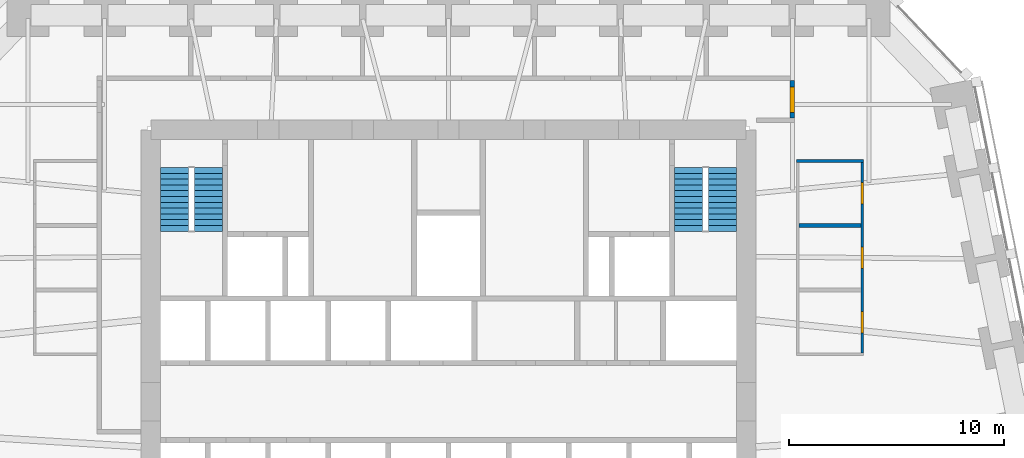
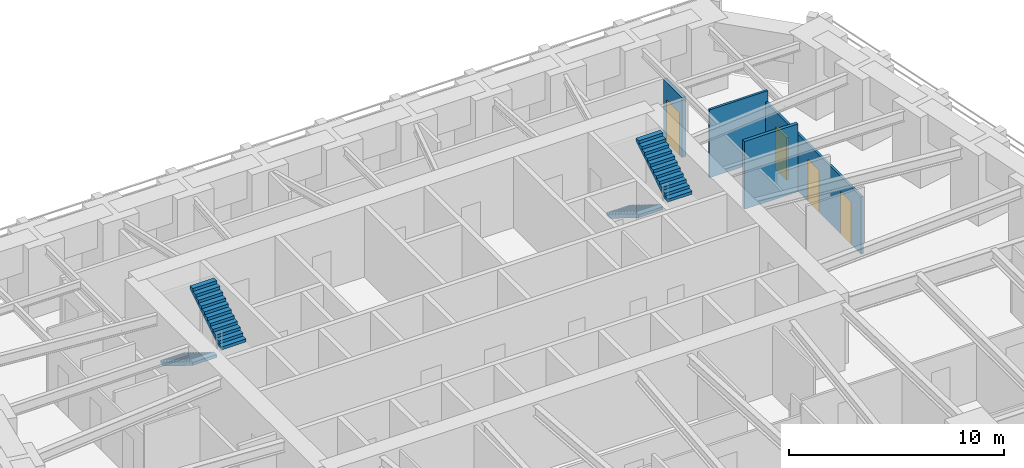
# One storey, part 8 of 10: 4 doors, 4 stair flights, 4 walls, 4 openings, 2 elements without a shape of their own.
"""IFC4 building model written with IfcOpenShell, lengths in metres."""

from ifc_helpers import new_model, si_unit, direction, frame, frame_2d, origin, place, context, subcontext, project, spatial, polyline, rectangle, outline, extrude, material, layer, layer_set, type_object, element, fill, aggregate, save


model = new_model("IFC4")

# Units and contexts
model_context = context("Model", 3, precision=1e-05, world=origin(), true_north=direction((0.0, 1.0)))
body_context = subcontext(model_context, "Body", "Model", "MODEL_VIEW")
ifc_project = project(units=[si_unit("LENGTHUNIT", "METRE"), si_unit("AREAUNIT", "SQUARE_METRE"), si_unit("VOLUMEUNIT", "CUBIC_METRE"), si_unit("PLANEANGLEUNIT", "RADIAN"), si_unit("MASSUNIT", "GRAM", prefix="KILO")], contexts=[model_context])

# Site, building, storey
site_placement = place(None, origin())
site = spatial("IfcSite", under=ifc_project, at=site_placement, CompositionType="ELEMENT")
building_placement = place(site_placement, origin())
building = spatial("IfcBuilding", under=site, at=building_placement, Name="Isbrekke Arena Tower", CompositionType="ELEMENT")
storey_placement = place(building_placement, frame((0.0, 0.0, 80.0)))
storey = spatial("IfcBuildingStorey", under=building, at=storey_placement, Name="L17", CompositionType="ELEMENT", Elevation=80.0)

# Wall
ifc_material_1 = material(Name="Frameless glazed partition, laminated acoustic glass", Category="glass")
ifc_layer_1 = layer(ifc_material_1, 0.1201171875)
ifc_layer_set_1 = layer_set([ifc_layer_1], Name="IW2 GLAZED PARTITION 120")
wall_type_1 = type_object("IfcWallType", Name="IW2 GLAZED PARTITION 120", PredefinedType="PARTITIONING", material=ifc_layer_set_1)
wall_1_placement = place(storey_placement, frame((16.18994140625, 22.39990234375, 0.0), z_axis=(0.0, 0.0, 1.0), x_axis=(1.0, 0.0, 0.0)))
element("IfcWall", 1, at=wall_1_placement, inside=storey, type_object=wall_type_1, Name="IW2 glazed partition 120 L17", PredefinedType="PARTITIONING", context=body_context, shape_type="SweptSolid", body=[
    extrude(rectangle(XDim=3.1201171875, YDim=0.1201171875, at=frame_2d((1.56005859375, 0.0))), origin(), (0.0, 0.0, 1.0), 3.85009765625),
])

# Wall, openings, doors
wall_2_placement = place(storey_placement, frame((19.25, 13.4599609375, 0.0), z_axis=(0.0, 0.0, 1.0), x_axis=(0.0, 1.0, 0.0)))
wall_2 = element("IfcWall", 2, at=wall_2_placement, inside=storey, type_object=wall_type_1, Name="IW2 glazed partition 120 L17", PredefinedType="PARTITIONING", context=body_context, shape_type="SweptSolid", body=[
    extrude(rectangle(XDim=8.880126953125, YDim=0.1201171875, at=frame_2d((4.43994140625, 0.0))), origin(), (0.0, 0.0, 1.0), 3.25),
])
opening_1_placement = place(wall_2_placement, frame((0.93994140625, 0.0, 0.0)))
opening_1 = element("IfcOpeningElement", 3, at=opening_1_placement, cuts=wall_2, Name="Opening D11", PredefinedType="OPENING", context=body_context, shape_type="SweptSolid", body=[
    extrude(rectangle(XDim=1.0, YDim=2.39990234375, at=frame_2d((0.5, 1.199951171875))), frame((0.0, 0.074951171875, 0.0), z_axis=(0.0, -1.0, 0.0), x_axis=(1.0, 0.0, 0.0)), (0.0, 0.0, 1.0), 0.14990234375),
])
opening_2_placement = place(wall_2_placement, frame((3.93994140625, 0.0, 0.0)))
opening_2 = element("IfcOpeningElement", 4, at=opening_2_placement, cuts=wall_2, Name="Opening D11", PredefinedType="OPENING", context=body_context, shape_type="SweptSolid", body=[
    extrude(rectangle(XDim=1.0, YDim=2.39990234375, at=frame_2d((0.5, 1.199951171875))), frame((0.0, 0.074951171875, 0.0), z_axis=(0.0, -1.0, 0.0), x_axis=(1.0, 0.0, 0.0)), (0.0, 0.0, 1.0), 0.14990234375),
])
opening_3_placement = place(wall_2_placement, frame((6.93994140625, 0.0, 0.0)))
opening_3 = element("IfcOpeningElement", 5, at=opening_3_placement, cuts=wall_2, Name="Opening D11", PredefinedType="OPENING", context=body_context, shape_type="SweptSolid", body=[
    extrude(rectangle(XDim=1.0, YDim=2.39990234375, at=frame_2d((0.5, 1.199951171875))), frame((0.0, 0.074951171875, 0.0), z_axis=(0.0, -1.0, 0.0), x_axis=(1.0, 0.0, 0.0)), (0.0, 0.0, 1.0), 0.14990234375),
])
ifc_material_2 = material(Name="Frameless glazed door", Category="glass")
door_type_1 = type_object("IfcDoorType", Name="D11 GLAZED MEETING ROOM DOOR 1000 x 2400", OperationType="SINGLE_SWING_RIGHT", PredefinedType="DOOR", material=ifc_material_2)
door_1_placement = place(opening_1_placement, origin())
door_1 = element("IfcDoor", 6, at=door_1_placement, inside=storey, type_object=door_type_1, Name="D11 quiet room door L17", OperationType="SINGLE_SWING_RIGHT", OverallHeight=2.39990234375, OverallWidth=1.0, PredefinedType="DOOR", context=body_context, shape_type="SweptSolid", body=[
    extrude(rectangle(XDim=1.0, YDim=2.39990234375, at=frame_2d((0.5, 1.199951171875))), frame((0.0, 0.059814453125, 0.0), z_axis=(0.0, -1.0, 0.0), x_axis=(1.0, 0.0, 0.0)), (0.0, 0.0, 1.0), 0.11962890625),
])
fill(opening_1, door_1)
door_2_placement = place(opening_2_placement, origin())
door_2 = element("IfcDoor", 7, at=door_2_placement, inside=storey, type_object=door_type_1, Name="D11 quiet room door L17", OperationType="SINGLE_SWING_RIGHT", OverallHeight=2.39990234375, OverallWidth=1.0, PredefinedType="DOOR", context=body_context, shape_type="SweptSolid", body=[
    extrude(rectangle(XDim=1.0, YDim=2.39990234375, at=frame_2d((0.5, 1.199951171875))), frame((0.0, 0.059814453125, 0.0), z_axis=(0.0, -1.0, 0.0), x_axis=(1.0, 0.0, 0.0)), (0.0, 0.0, 1.0), 0.11962890625),
])
fill(opening_2, door_2)
door_3_placement = place(opening_3_placement, origin())
door_3 = element("IfcDoor", 8, at=door_3_placement, inside=storey, type_object=door_type_1, Name="D11 quiet room door L17", OperationType="SINGLE_SWING_RIGHT", OverallHeight=2.39990234375, OverallWidth=1.0, PredefinedType="DOOR", context=body_context, shape_type="SweptSolid", body=[
    extrude(rectangle(XDim=1.0, YDim=2.39990234375, at=frame_2d((0.5, 1.199951171875))), frame((0.0, 0.059814453125, 0.0), z_axis=(0.0, -1.0, 0.0), x_axis=(1.0, 0.0, 0.0)), (0.0, 0.0, 1.0), 0.11962890625),
])
fill(opening_3, door_3)

# Wall, opening, door
ifc_material_3 = material(Name="Gypsum board fire-cell wall on steel studs, two layers each side", Category="steel")
ifc_layer_2 = layer(ifc_material_3, 0.199951171875)
ifc_layer_set_2 = layer_set([ifc_layer_2], Name="IW3 FIRE-CELL WALL 200")
wall_type_2 = type_object("IfcWallType", Name="IW3 FIRE-CELL WALL 200", PredefinedType="PARTITIONING", material=ifc_layer_set_2)
wall_3_placement = place(storey_placement, frame((16.0, 24.39990234375, 0.0), z_axis=(0.0, 0.0, 1.0), x_axis=(0.0, 1.0, 0.0)))
wall_3 = element("IfcWall", 9, at=wall_3_placement, inside=storey, type_object=wall_type_2, Name="IW3 fire-cell wall 200 L17", PredefinedType="PARTITIONING", context=body_context, shape_type="SweptSolid", body=[
    extrude(rectangle(XDim=1.75, YDim=0.199951171875, at=frame_2d((0.875, 0.0))), origin(), (0.0, 0.0, 1.0), 3.39990234375),
])
opening_4_placement = place(wall_3_placement, frame((0.25, 0.0, 0.0)))
opening_4 = element("IfcOpeningElement", 10, at=opening_4_placement, cuts=wall_3, Name="Opening D12", PredefinedType="OPENING", context=body_context, shape_type="SweptSolid", body=[
    extrude(rectangle(XDim=1.199951171875, YDim=2.39990234375, at=frame_2d((0.60009765625, 1.199951171875))), frame((0.0, 0.11474609375, 0.0), z_axis=(0.0, -1.0, 0.0), x_axis=(1.0, 0.0, 0.0)), (0.0, 0.0, 1.0), 0.229736328125),
])
ifc_material_4 = material(Name="Timber fire door with vision panel", Category="wood")
door_type_2 = type_object("IfcDoorType", Name="D12 SUITE ENTRANCE DOOR 1200 x 2400", OperationType="SINGLE_SWING_LEFT", PredefinedType="DOOR", material=ifc_material_4)
door_4_placement = place(opening_4_placement, origin())
door_4 = element("IfcDoor", 11, at=door_4_placement, inside=storey, type_object=door_type_2, Name="D12 suite entrance A door L17", OperationType="SINGLE_SWING_LEFT", OverallHeight=2.39990234375, OverallWidth=1.199951171875, PredefinedType="DOOR", context=body_context, shape_type="SweptSolid", body=[
    extrude(rectangle(XDim=1.199951171875, YDim=2.39990234375, at=frame_2d((0.60009765625, 1.199951171875))), frame((0.0, 0.099609375, 0.0), z_axis=(0.0, -1.0, 0.0), x_axis=(1.0, 0.0, 0.0)), (0.0, 0.0, 1.0), 0.199462890625),
])
fill(opening_4, door_4)

# Wall
ifc_material_5 = material(Name="Gypsum board acoustic partition on twin steel studs", Category="steel")
ifc_layer_3 = layer(ifc_material_5, 0.175048828125)
ifc_layer_set_3 = layer_set([ifc_layer_3], Name="IW4 ACOUSTIC PARTITION 175")
wall_type_3 = type_object("IfcWallType", Name="IW4 ACOUSTIC PARTITION 175", PredefinedType="PARTITIONING", material=ifc_layer_set_3)
wall_4_placement = place(storey_placement, frame((16.31005859375, 19.39990234375, 0.0), z_axis=(0.0, 0.0, 1.0), x_axis=(1.0, 0.0, 0.0)))
element("IfcWall", 12, at=wall_4_placement, inside=storey, type_object=wall_type_3, Name="IW4 acoustic partition 175 L17", PredefinedType="PARTITIONING", context=body_context, shape_type="SweptSolid", body=[
    extrude(rectangle(XDim=2.8798828125, YDim=0.175048828125, at=frame_2d((1.43994140625, 0.0))), origin(), (0.0, 0.0, 1.0), 3.85009765625),
])

# Stair, stair flights
ifc_material_6 = material(Name="Concrete B45 (C45/55) precast", Category="concrete")
stair_type = type_object("IfcStairType", Name="ST40 STAIR 1300 WIDE, 24 RISERS 167", PredefinedType="HALF_TURN_STAIR", material=ifc_material_6)
stair_1_placement = place(storey_placement, origin())
stair_1 = element("IfcStair", 13, at=stair_1_placement, inside=storey, type_object=stair_type, Name="ST1 stair L17", PredefinedType="HALF_TURN_STAIR")
ifc_material_7 = material(Name="Concrete B45 (C45/55) precast", Category="concrete")
stair_flight_type = type_object("IfcStairFlightType", Name="SF 1300 FLIGHT", PredefinedType="STRAIGHT", material=ifc_material_7)
stair_flight_1_placement = place(storey_placement, frame((-12.75, 22.10009765625, 0.0), z_axis=(0.0, 0.0, 1.0), x_axis=(0.0, -1.0, 0.0)))
stair_flight_1 = element("IfcStairFlight", 14, at=stair_flight_1_placement, type_object=stair_flight_type, Name="ST1 flight 1", NumberOfRisers=12, NumberOfTreads=11, PredefinedType="STRAIGHT", RiserHeight=0.166666667, TreadLength=0.27, context=body_context, shape_type="SweptSolid", body=[
    extrude(outline(polyline([(0.0, 0.0), (0.0, 0.166748046875), (0.27001953125, 0.166748046875), (0.27001953125, 0.333251953125), (0.5400390625, 0.333251953125), (0.5400390625, 0.5), (0.81005859375, 0.5), (0.81005859375, 0.666748046875), (1.080078125, 0.666748046875), (1.080078125, 0.833251953125), (1.35009765625, 0.833251953125), (1.35009765625, 1.0), (1.6201171875, 1.0), (1.6201171875, 1.166748046875), (1.889892578125, 1.166748046875), (1.889892578125, 1.333251953125), (2.159912109375, 1.333251953125), (2.159912109375, 1.5), (2.429931640625, 1.5), (2.429931640625, 1.666748046875), (2.699951171875, 1.666748046875), (2.699951171875, 1.833251953125), (2.969970703125, 1.833251953125), (2.969970703125, 2.0), (2.969970703125, 1.6572265625), (0.285400390625, 0.0), (0.0, 0.0)])), frame((0.0, 0.64990234375, 0.0), z_axis=(0.0, -1.0, 0.0), x_axis=(1.0, 0.0, 0.0)), (0.0, 0.0, 1.0), 1.300048828125),
])
stair_flight_2_placement = place(storey_placement, frame((-11.175048828125, 19.1298828125, 2.0), z_axis=(0.0, 0.0, 1.0), x_axis=(0.0, 1.0, 0.0)))
stair_flight_2 = element("IfcStairFlight", 15, at=stair_flight_2_placement, type_object=stair_flight_type, Name="ST1 flight 2", NumberOfRisers=12, NumberOfTreads=11, PredefinedType="STRAIGHT", RiserHeight=0.166666667, TreadLength=0.27, context=body_context, shape_type="SweptSolid", body=[
    extrude(outline(polyline([(0.0, 0.0), (0.0, 0.166748046875), (0.27001953125, 0.166748046875), (0.27001953125, 0.333251953125), (0.5400390625, 0.333251953125), (0.5400390625, 0.5), (0.81005859375, 0.5), (0.81005859375, 0.666748046875), (1.080078125, 0.666748046875), (1.080078125, 0.833251953125), (1.35009765625, 0.833251953125), (1.35009765625, 1.0), (1.6201171875, 1.0), (1.6201171875, 1.166748046875), (1.889892578125, 1.166748046875), (1.889892578125, 1.333251953125), (2.159912109375, 1.333251953125), (2.159912109375, 1.5), (2.429931640625, 1.5), (2.429931640625, 1.666748046875), (2.699951171875, 1.666748046875), (2.699951171875, 1.833251953125), (2.969970703125, 1.833251953125), (2.969970703125, 2.0), (2.969970703125, 1.6572265625), (0.285400390625, 0.0), (0.0, 0.0)])), frame((0.0, 0.64990234375, 0.0), z_axis=(0.0, -1.0, 0.0), x_axis=(1.0, 0.0, 0.0)), (0.0, 0.0, 1.0), 1.300048828125),
])
aggregate(stair_1, [stair_flight_1, stair_flight_2])

stair_2_placement = place(storey_placement, origin())
stair_2 = element("IfcStair", 16, at=stair_2_placement, inside=storey, type_object=stair_type, Name="ST2 stair L17", PredefinedType="HALF_TURN_STAIR")
stair_flight_3_placement = place(storey_placement, frame((11.175048828125, 22.10009765625, 0.0), z_axis=(0.0, 0.0, 1.0), x_axis=(0.0, -1.0, 0.0)))
stair_flight_3 = element("IfcStairFlight", 17, at=stair_flight_3_placement, type_object=stair_flight_type, Name="ST2 flight 1", NumberOfRisers=12, NumberOfTreads=11, PredefinedType="STRAIGHT", RiserHeight=0.166666667, TreadLength=0.27, context=body_context, shape_type="SweptSolid", body=[
    extrude(outline(polyline([(0.0, 0.0), (0.0, 0.166748046875), (0.27001953125, 0.166748046875), (0.27001953125, 0.333251953125), (0.5400390625, 0.333251953125), (0.5400390625, 0.5), (0.81005859375, 0.5), (0.81005859375, 0.666748046875), (1.080078125, 0.666748046875), (1.080078125, 0.833251953125), (1.35009765625, 0.833251953125), (1.35009765625, 1.0), (1.6201171875, 1.0), (1.6201171875, 1.166748046875), (1.889892578125, 1.166748046875), (1.889892578125, 1.333251953125), (2.159912109375, 1.333251953125), (2.159912109375, 1.5), (2.429931640625, 1.5), (2.429931640625, 1.666748046875), (2.699951171875, 1.666748046875), (2.699951171875, 1.833251953125), (2.969970703125, 1.833251953125), (2.969970703125, 2.0), (2.969970703125, 1.6572265625), (0.285400390625, 0.0), (0.0, 0.0)])), frame((0.0, 0.64990234375, 0.0), z_axis=(0.0, -1.0, 0.0), x_axis=(1.0, 0.0, 0.0)), (0.0, 0.0, 1.0), 1.300048828125),
])
stair_flight_4_placement = place(storey_placement, frame((12.75, 19.1298828125, 2.0), z_axis=(0.0, 0.0, 1.0), x_axis=(0.0, 1.0, 0.0)))
stair_flight_4 = element("IfcStairFlight", 18, at=stair_flight_4_placement, type_object=stair_flight_type, Name="ST2 flight 2", NumberOfRisers=12, NumberOfTreads=11, PredefinedType="STRAIGHT", RiserHeight=0.166666667, TreadLength=0.27, context=body_context, shape_type="SweptSolid", body=[
    extrude(outline(polyline([(0.0, 0.0), (0.0, 0.166748046875), (0.27001953125, 0.166748046875), (0.27001953125, 0.333251953125), (0.5400390625, 0.333251953125), (0.5400390625, 0.5), (0.81005859375, 0.5), (0.81005859375, 0.666748046875), (1.080078125, 0.666748046875), (1.080078125, 0.833251953125), (1.35009765625, 0.833251953125), (1.35009765625, 1.0), (1.6201171875, 1.0), (1.6201171875, 1.166748046875), (1.889892578125, 1.166748046875), (1.889892578125, 1.333251953125), (2.159912109375, 1.333251953125), (2.159912109375, 1.5), (2.429931640625, 1.5), (2.429931640625, 1.666748046875), (2.699951171875, 1.666748046875), (2.699951171875, 1.833251953125), (2.969970703125, 1.833251953125), (2.969970703125, 2.0), (2.969970703125, 1.6572265625), (0.285400390625, 0.0), (0.0, 0.0)])), frame((0.0, 0.64990234375, 0.0), z_axis=(0.0, -1.0, 0.0), x_axis=(1.0, 0.0, 0.0)), (0.0, 0.0, 1.0), 1.300048828125),
])
aggregate(stair_2, [stair_flight_3, stair_flight_4])

save(model, "model.ifc")
